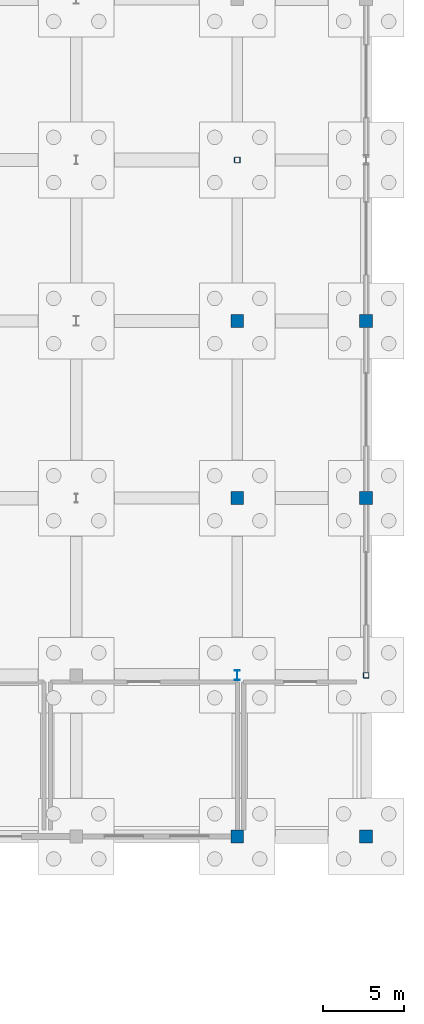
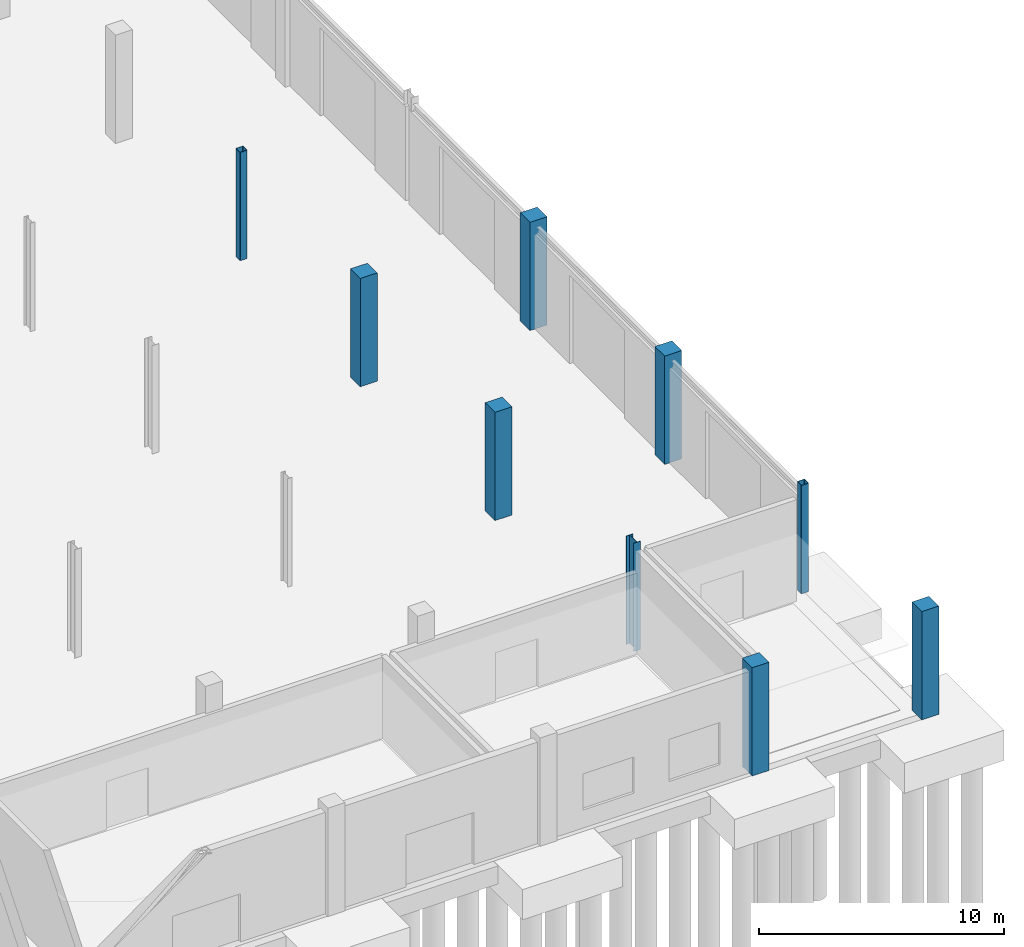
# One storey, part 24 of 70: 9 columns.
"""IFC4 building model written with IfcOpenShell, lengths in metres."""

import ifcopenshell
import ifcopenshell.guid

model = None  # the IFC model being written
_history = None  # IfcOwnerHistory: only IFC2X3 demands one
_inside = {}  # id of a spatial element -> (the spatial element, [elements in it])
_under = {}  # id of a project, library or spatial element -> (it, [spatial elements below it])
_declared = {}  # id of a project -> (the project, [libraries it declares])
_typed = {}  # id of a type object -> (the type object, [elements of that type])
_made_of = {}  # id of a material, layer set ... -> (it, [elements and type objects made of it])


def new_model(schema):
    """Start an empty IFC model of exactly this schema.

    Asked for "IFC4X3", IfcOpenShell would pick the latest addendum, in which some entities
    have other attributes; the version numbers below select the first issue.
    IFC2X3 requires an IfcOwnerHistory on every rooted entity: one is made here for all.
    """
    global model, _history
    if schema == "IFC4X3":
        model = ifcopenshell.file(schema_version=(4, 3, 0, 0))
    else:
        model = ifcopenshell.file(schema=schema)
    _inside.clear()
    _under.clear()
    _declared.clear()
    _typed.clear()
    _made_of.clear()
    _history = None
    if model.schema == "IFC2X3":
        org = make("IfcOrganization", Name="unknown")
        user = make(
            "IfcPersonAndOrganization",
            ThePerson=make("IfcPerson", FamilyName="unknown"),
            TheOrganization=org,
        )
        app = make(
            "IfcApplication",
            ApplicationDeveloper=org,
            Version="unknown",
            ApplicationFullName="unknown",
            ApplicationIdentifier="unknown",
        )
        _history = make(
            "IfcOwnerHistory",
            OwningUser=user,
            OwningApplication=app,
            ChangeAction="ADDED",
            CreationDate=0,
        )
    return model


def make(cls, **values):
    """One entity of the class cls with the attributes given. An attribute that is None is left unset."""
    return model.create_entity(
        cls, **{name: value for name, value in values.items() if value is not None}
    )


def rooted(cls, **values):
    """An entity with a GlobalId (a new one), such as an element, a storey or a relation."""
    return make(cls, GlobalId=ifcopenshell.guid.new(), OwnerHistory=_history, **values)


def si_unit(unit_type, name, prefix=None):
    """IfcSIUnit, for example si_unit("LENGTHUNIT", "METRE", prefix="MILLI")."""
    return make("IfcSIUnit", UnitType=unit_type, Prefix=prefix, Name=name)


def assignment(units):
    """IfcUnitAssignment: the units of a project."""
    return None if units is None else make("IfcUnitAssignment", Units=units)


def point(xyz):
    """IfcCartesianPoint."""
    return None if xyz is None else make("IfcCartesianPoint", Coordinates=xyz)


def direction(xyz):
    """IfcDirection."""
    return None if xyz is None else make("IfcDirection", DirectionRatios=xyz)


def frame(location, z_axis=None, x_axis=None):
    """IfcAxis2Placement3D, a coordinate frame: its origin and axes. An axis left out is left unset."""
    return make(
        "IfcAxis2Placement3D",
        Location=point(location),
        Axis=direction(z_axis),
        RefDirection=direction(x_axis),
    )


def frame_2d(location, x_axis=None):
    """IfcAxis2Placement2D, a coordinate frame in the plane: its origin and x axis."""
    return make(
        "IfcAxis2Placement2D", Location=point(location), RefDirection=direction(x_axis)
    )


def origin():
    """The frame at (0, 0, 0) with its axes left unset."""
    return frame((0.0, 0.0, 0.0))


def origin_2d():
    """The frame at (0, 0) in the plane with its x axis left unset."""
    return frame_2d((0.0, 0.0))


def place(relative_to, where):
    """IfcLocalPlacement: puts the frame where relative to a parent placement (None: the world)."""
    return make(
        "IfcLocalPlacement", PlacementRelTo=relative_to, RelativePlacement=where
    )


def context(
    kind, dimensions, precision=None, world=None, true_north=None, identifier=None
):
    """IfcGeometricRepresentationContext, for example the 3D "Model" context."""
    return make(
        "IfcGeometricRepresentationContext",
        ContextIdentifier=identifier,
        ContextType=kind,
        CoordinateSpaceDimension=dimensions,
        Precision=precision,
        WorldCoordinateSystem=world,
        TrueNorth=true_north,
    )


def subcontext(parent, identifier, kind, view, scale=None):
    """IfcGeometricRepresentationSubContext, for example "Body" below "Model"."""
    return make(
        "IfcGeometricRepresentationSubContext",
        ContextIdentifier=identifier,
        ContextType=kind,
        ParentContext=parent,
        TargetScale=scale,
        TargetView=view,
    )


def project(units=None, contexts=None):
    """IfcProject with its units and contexts."""
    return rooted(
        "IfcProject",
        Name="project",
        RepresentationContexts=contexts,
        UnitsInContext=assignment(units),
    )


def spatial(cls, under=None, at=None, **own):
    """A site, building, storey or space (cls), placed at a placement, below another one or the project."""
    s = rooted(cls, ObjectPlacement=at, **own)
    if under is not None:
        _under.setdefault(under.id(), (under, []))[1].append(s)
    return s


def profile(cls, at=None, kind="AREA", **sizes):
    """A parametric profile (cls). Its sizes go by their IFC names, for example OverallWidth=200.0."""
    return make(cls, ProfileType=kind, Position=at, **sizes)


def rectangle(**sizes):
    """IfcRectangleProfileDef."""
    return profile("IfcRectangleProfileDef", **sizes)


def hollow_rectangle(**sizes):
    """IfcRectangleHollowProfileDef."""
    return profile("IfcRectangleHollowProfileDef", **sizes)


def i_section(**sizes):
    """IfcIShapeProfileDef."""
    return profile("IfcIShapeProfileDef", **sizes)


def extrude(swept, where, along, depth):
    """IfcExtrudedAreaSolid: the profile swept, set in the frame where, extruded along a direction by depth."""
    return make(
        "IfcExtrudedAreaSolid",
        SweptArea=swept,
        Position=where,
        ExtrudedDirection=direction(along),
        Depth=depth,
    )


def shape(context_of_items, identifier, shape_type, items):
    """IfcShapeRepresentation: the items that make up one representation, for example the "Body"."""
    return make(
        "IfcShapeRepresentation",
        ContextOfItems=context_of_items,
        RepresentationIdentifier=identifier,
        RepresentationType=shape_type,
        Items=items,
    )


def material(Name=None, Category=None):
    """IfcMaterial."""
    return make("IfcMaterial", Name=Name, Category=Category)


def material_profile(
    of_material, cross_section, Name=None, Category=None, Priority=None
):
    """IfcMaterialProfile: a cross section and its material."""
    return make(
        "IfcMaterialProfile",
        Name=Name,
        Material=of_material,
        Profile=cross_section,
        Priority=Priority,
        Category=Category,
    )


def profile_set(profiles, Name=None, composite=None):
    """IfcMaterialProfileSet."""
    return make(
        "IfcMaterialProfileSet",
        Name=Name,
        MaterialProfiles=profiles,
        CompositeProfile=composite,
    )


def made_of(thing, what):
    """Note that an element or type object is made of a material, layer set ...; save() writes the relation."""
    if what is not None:
        _made_of.setdefault(what.id(), (what, []))[1].append(thing)
    return thing


def type_object(cls, material=None, **own):
    """A type object (cls), such as IfcWallType, which elements share."""
    return made_of(rooted(cls, **own), material)


def element(
    cls,
    number,
    at=None,
    inside=None,
    cuts=None,
    type_object=None,
    material=None,
    context=None,
    identifier="Body",
    shape_type=None,
    held_by="IfcProductDefinitionShape",
    body=None,
    shapes=None,
    **own,
):
    """One element of the class cls, such as IfcWall. Its Tag is "e" and its number.

    at: its placement. inside: the storey or other place that contains it. cuts: it is an
    opening in that element (IfcRelVoidsElement). A single representation is given by context,
    identifier, shape_type and body (its items); several are given by shapes. held_by: the class
    of the entity that holds the representations. save() writes the other relations.
    """
    e = rooted(cls, Tag="e%d" % number, ObjectPlacement=at, **own)
    if body is not None:
        shapes = [shape(context, identifier, shape_type, body)]
    if shapes is not None:
        e.Representation = make(held_by, Representations=shapes)
    if inside is not None:
        _inside.setdefault(inside.id(), (inside, []))[1].append(e)
    if cuts is not None:
        rooted(
            "IfcRelVoidsElement", RelatingBuildingElement=cuts, RelatedOpeningElement=e
        )
    if type_object is not None:
        _typed.setdefault(type_object.id(), (type_object, []))[1].append(e)
    return made_of(e, material)


def aggregate(whole, parts):
    """IfcRelAggregates: a whole, such as a stair, and the parts it consists of."""
    return rooted("IfcRelAggregates", RelatingObject=whole, RelatedObjects=parts)


def save(model, path):
    """Write the relations noted so far, then the file.

    IfcRelAggregates (storeys below a building ...), IfcRelContainedInSpatialStructure (elements
    in a storey), IfcRelDefinesByType, IfcRelAssociatesMaterial and IfcRelDeclares: one each for
    every whole, place, type object, material and project.
    """
    for whole, parts in _under.values():
        aggregate(whole, parts)
    for where, things in _inside.values():
        rooted(
            "IfcRelContainedInSpatialStructure",
            RelatedElements=things,
            RelatingStructure=where,
        )
    for kind, things in _typed.values():
        rooted("IfcRelDefinesByType", RelatedObjects=things, RelatingType=kind)
    for what, things in _made_of.values():
        rooted("IfcRelAssociatesMaterial", RelatedObjects=things, RelatingMaterial=what)
    for by, libraries in _declared.values():
        rooted("IfcRelDeclares", RelatingContext=by, RelatedDefinitions=libraries)
    model.write(path)


model = new_model("IFC4")

# Units and contexts
model_context = context("Model", 3, precision=1e-05, world=origin(), true_north=direction((0.0, 1.0)))
body_context = subcontext(model_context, "Body", "Model", "MODEL_VIEW")
ifc_project = project(units=[si_unit("LENGTHUNIT", "METRE"), si_unit("AREAUNIT", "SQUARE_METRE"), si_unit("VOLUMEUNIT", "CUBIC_METRE"), si_unit("PLANEANGLEUNIT", "RADIAN"), si_unit("MASSUNIT", "GRAM", prefix="KILO")], contexts=[model_context])

# Site, building, storey
site_placement = place(None, origin())
site = spatial("IfcSite", under=ifc_project, at=site_placement, CompositionType="ELEMENT")
building_placement = place(site_placement, origin())
building = spatial("IfcBuilding", under=site, at=building_placement, Name="Brinegate Civic Arena", CompositionType="ELEMENT")
storey_placement = place(building_placement, origin())
storey = spatial("IfcBuildingStorey", under=building, at=storey_placement, Name="L00", CompositionType="ELEMENT", Elevation=0.0)

# Columns
ifc_material_1 = material(Name="Concrete C50/60", Category="concrete")
ifc_material_profile_1 = material_profile(ifc_material_1, rectangle(XDim=0.800048828125, YDim=0.800048828125, at=origin_2d()), Name="RC800X800")
ifc_profile_set_1 = profile_set([ifc_material_profile_1], Name="Concrete C50/60")
column_type_1 = type_object("IfcColumnType", Name="COL-CC07-800", PredefinedType="COLUMN", material=ifc_profile_set_1)
for number, where, z_axis, x_axis, name in (
    (1, (200.0, 10.0, 0.0), (0.0, 0.0, 1.0), (1.0, 0.0, 0.0), "Column COL-L00-18-B"),
    (2, (200.0, 31.0, 0.0), (0.0, 0.0, 1.0), (1.0, 0.0, 0.0), "Column COL-L00-18-D"),
    (3, (200.0, 42.0, 0.0), (0.0, 0.0, 1.0), (1.0, 0.0, 0.0), "Column COL-L00-18-E"),
    (4, (208.0, 10.0, 0.0), (0.0, 0.0, 1.0), (1.0, 0.0, 0.0), "Column COL-L00-19-B"),
    (5, (208.0, 31.0, 0.0), (0.0, 0.0, 1.0), (1.0, 0.0, 0.0), "Column COL-L00-19-D"),
    (6, (208.0, 42.0, 0.0), (0.0, 0.0, 1.0), (1.0, 0.0, 0.0), "Column COL-L00-19-E"),
):
    element("IfcColumn", number, at=place(storey_placement, frame(where, z_axis=z_axis, x_axis=x_axis)), inside=storey, type_object=column_type_1, Name=name, PredefinedType="COLUMN", context=body_context, shape_type="SweptSolid", body=[
        extrude(rectangle(XDim=0.800048828125, YDim=0.800048828125, at=origin_2d()), origin(), (0.0, 0.0, 1.0), 5.39990234375),
    ])
ifc_material_2 = material(Name="Steel S355", Category="steel")
ifc_material_profile_2 = material_profile(ifc_material_2, i_section(OverallWidth=0.323974609375, OverallDepth=0.611083984375, WebThickness=0.012939453125, FlangeThickness=0.01904296875, FilletRadius=0.01611328125, at=origin_2d()), Name="W610X155")
ifc_profile_set_2 = profile_set([ifc_material_profile_2], Name="Steel S355")
column_type_2 = type_object("IfcColumnType", Name="COL-SC01-W610", PredefinedType="COLUMN", material=ifc_profile_set_2)
column_placement = place(storey_placement, frame((200.0, 20.0, 0.0), z_axis=(0.0, 0.0, 1.0), x_axis=(1.0, 0.0, 0.0)))
element("IfcColumn", 7, at=column_placement, inside=storey, type_object=column_type_2, Name="Column COL-L00-18-C", PredefinedType="COLUMN", context=body_context, shape_type="SweptSolid", body=[
    extrude(i_section(OverallWidth=0.323974609375, OverallDepth=0.611083984375, WebThickness=0.012939453125, FlangeThickness=0.01904296875, FilletRadius=0.01611328125, at=origin_2d()), origin(), (0.0, 0.0, 1.0), 5.39990234375),
])
ifc_material_profile_3 = material_profile(ifc_material_2, hollow_rectangle(XDim=0.35009765625, YDim=0.35009765625, WallThickness=0.01611328125, InnerFilletRadius=0.01611328125, OuterFilletRadius=0.031982421875, at=origin_2d()), Name="SHS350X16")
ifc_profile_set_3 = profile_set([ifc_material_profile_3], Name="Steel S355")
column_type_3 = type_object("IfcColumnType", Name="COL-SC04-SHS350", PredefinedType="COLUMN", material=ifc_profile_set_3)
for number, where, z_axis, x_axis, name in (
    (8, (200.0, 52.0, 0.0), (0.0, 0.0, 1.0), (1.0, 0.0, 0.0), "Column COL-L00-18-F"),
    (9, (208.0, 20.0, 0.0), (0.0, 0.0, 1.0), (1.0, 0.0, 0.0), "Column COL-L00-19-C"),
):
    element("IfcColumn", number, at=place(storey_placement, frame(where, z_axis=z_axis, x_axis=x_axis)), inside=storey, type_object=column_type_3, Name=name, PredefinedType="COLUMN", context=body_context, shape_type="SweptSolid", body=[
        extrude(hollow_rectangle(XDim=0.35009765625, YDim=0.35009765625, WallThickness=0.01611328125, InnerFilletRadius=0.01611328125, OuterFilletRadius=0.031982421875, at=origin_2d()), origin(), (0.0, 0.0, 1.0), 5.39990234375),
    ])

save(model, "model.ifc")
